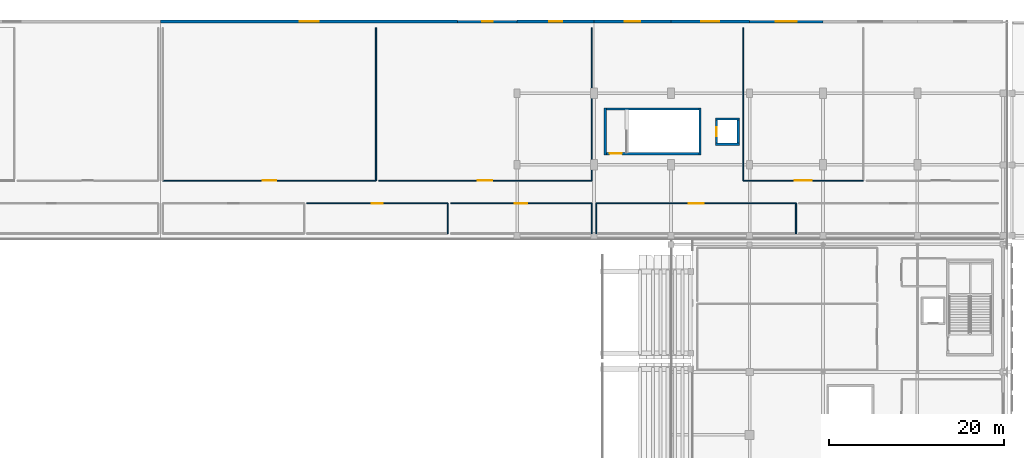
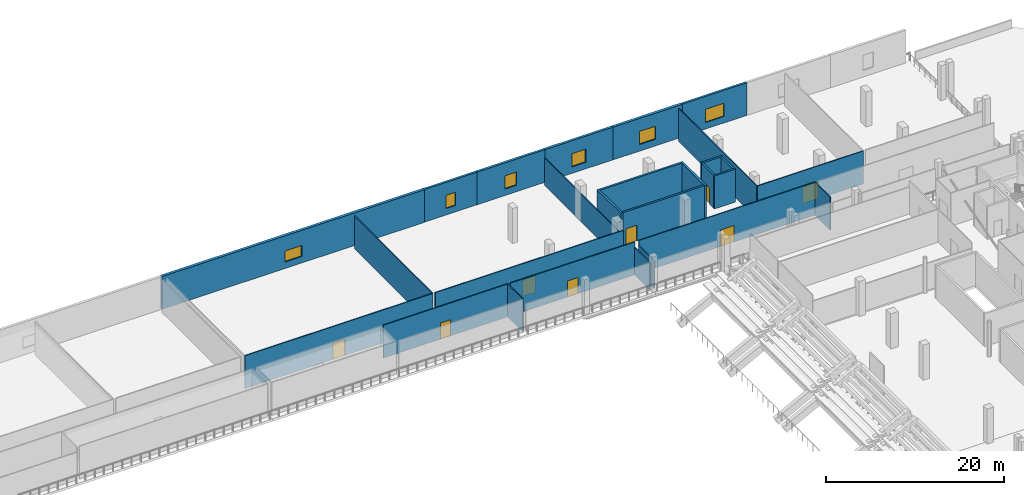
# One storey, part 43 of 74: 27 walls, 8 doors, 6 windows, 14 openings.
"""IFC4 building model written with IfcOpenShell, lengths in metres."""

from ifc_helpers import new_model, si_unit, direction, frame, frame_2d, origin, place, context, subcontext, project, spatial, rectangle, extrude, material, layer, layer_set, type_object, element, fill, save


model = new_model("IFC4")

# Units and contexts
model_context = context("Model", 3, precision=1e-05, world=origin(), true_north=direction((0.0, 1.0)))
body_context = subcontext(model_context, "Body", "Model", "MODEL_VIEW")
ifc_project = project(units=[si_unit("LENGTHUNIT", "METRE"), si_unit("AREAUNIT", "SQUARE_METRE"), si_unit("VOLUMEUNIT", "CUBIC_METRE"), si_unit("PLANEANGLEUNIT", "RADIAN"), si_unit("MASSUNIT", "GRAM", prefix="KILO")], contexts=[model_context])

# Site, building, storey
site_placement = place(None, origin())
site = spatial("IfcSite", under=ifc_project, at=site_placement, CompositionType="ELEMENT")
building_placement = place(site_placement, origin())
building = spatial("IfcBuilding", under=site, at=building_placement, Name="Koshinbarg Plaza Stadium", CompositionType="ELEMENT")
storey_placement = place(building_placement, frame((0.0, 0.0, 15.0)))
storey = spatial("IfcBuildingStorey", under=building, at=storey_placement, Name="L03", CompositionType="ELEMENT", Elevation=15.0)

# Walls
ifc_material_1 = material(Name="Concrete C40/50", Category="concrete")
ifc_layer_1 = layer(ifc_material_1, 0.25)
ifc_layer_set_1 = layer_set([ifc_layer_1], Name="Concrete C40/50")
wall_type_1 = type_object("IfcWallType", Name="WL-CORE-250", PredefinedType="SHEAR", material=ifc_layer_set_1)
for number, where, z_axis, x_axis, name in (
    (1, (172.875, 142.1201171875, 0.0), (0.0, 0.0, 1.0), (0.0, -1.0, 0.0), "L03 core stair shear wall C12-near IWL-L03-0286"),
    (2, (183.72509765625, 136.75, 0.0), (0.0, 0.0, 1.0), (0.0, 1.0, 0.0), "L03 core stair shear wall C12-far IWL-L03-0287"),
):
    element("IfcWall", number, at=place(storey_placement, frame(where, z_axis=z_axis, x_axis=x_axis)), inside=storey, type_object=wall_type_1, Name=name, PredefinedType="SHEAR", context=body_context, shape_type="SweptSolid", body=[
        extrude(rectangle(XDim=5.3701171875, YDim=0.25, at=frame_2d((2.68505859375, 0.0))), origin(), (0.0, 0.0, 1.0), 4.5),
    ])
wall_1_placement = place(storey_placement, frame((172.875, 141.9951171875, 0.0), z_axis=(0.0, 0.0, 1.0), x_axis=(1.0, 0.0, 0.0)))
element("IfcWall", 3, at=wall_1_placement, inside=storey, type_object=wall_type_1, Name="L03 core stair shear wall C12-left IWL-L03-0288", PredefinedType="SHEAR", context=body_context, shape_type="SweptSolid", body=[
    extrude(rectangle(XDim=10.85009765625, YDim=0.25, at=frame_2d((5.425048828125, 0.0))), origin(), (0.0, 0.0, 1.0), 4.5),
])

# Wall, opening, door
wall_2_placement = place(storey_placement, frame((172.875, 136.875, 0.0), z_axis=(0.0, 0.0, 1.0), x_axis=(1.0, 0.0, 0.0)))
wall_2 = element("IfcWall", 4, at=wall_2_placement, inside=storey, type_object=wall_type_1, Name="L03 core stair shear wall C12-right IWL-L03-0289", PredefinedType="SHEAR", context=body_context, shape_type="SweptSolid", body=[
    extrude(rectangle(XDim=10.85009765625, YDim=0.25, at=frame_2d((5.425048828125, 0.0))), origin(), (0.0, 0.0, 1.0), 4.5),
])
opening_1_placement = place(wall_2_placement, frame((0.52001953125, 0.0, 0.0)))
opening_1 = element("IfcOpeningElement", 5, at=opening_1_placement, cuts=wall_2, Name="Opening D-0134", PredefinedType="OPENING", context=body_context, shape_type="SweptSolid", body=[
    extrude(rectangle(XDim=1.39990234375, YDim=2.14990234375, at=frame_2d((0.699951171875, 1.074951171875))), frame((0.0, 0.135009765625, 0.0), z_axis=(0.0, -1.0, 0.0), x_axis=(1.0, 0.0, 0.0)), (0.0, 0.0, 1.0), 0.27001953125),
])
ifc_material_2 = material(Name="Painted galvanized steel fire door", Category="steel")
door_type_1 = type_object("IfcDoorType", Name="DR-STAIR-1400", OperationType="NOTDEFINED", PredefinedType="DOOR", material=ifc_material_2)
door_1_placement = place(opening_1_placement, origin())
door_1 = element("IfcDoor", 6, at=door_1_placement, inside=storey, type_object=door_type_1, Name="L03 exit stair door C12", OperationType="SINGLE_SWING_RIGHT", OverallHeight=2.14990234375, OverallWidth=1.39990234375, PredefinedType="DOOR", context=body_context, shape_type="SweptSolid", body=[
    extrude(rectangle(XDim=1.39990234375, YDim=2.14990234375, at=frame_2d((0.699951171875, 1.074951171875))), frame((0.0, 0.02490234375, 0.0), z_axis=(0.0, -1.0, 0.0), x_axis=(1.0, 0.0, 0.0)), (0.0, 0.0, 1.0), 0.050048828125),
])
fill(opening_1, door_1)

# Walls
for number, where, z_axis, x_axis, name in (
    (7, (185.47509765625, 137.949951171875, 0.0), (0.0, 0.0, 1.0), (1.0, 0.0, 0.0), "L03 lift shaft shear wall LP08-S IWL-L03-0986"),
    (8, (188.22509765625, 140.85009765625, 0.0), (0.0, 0.0, 1.0), (-1.0, 0.0, 0.0), "L03 lift shaft shear wall LP08-N IWL-L03-0987"),
):
    element("IfcWall", number, at=place(storey_placement, frame(where, z_axis=z_axis, x_axis=x_axis)), inside=storey, type_object=wall_type_1, Name=name, PredefinedType="SHEAR", context=body_context, shape_type="SweptSolid", body=[
        extrude(rectangle(XDim=2.75, YDim=0.25, at=frame_2d((1.375, 0.0))), origin(), (0.0, 0.0, 1.0), 4.5),
    ])

# Wall, opening, door
wall_3_placement = place(storey_placement, frame((185.60009765625, 140.85009765625, 0.0), z_axis=(0.0, 0.0, 1.0), x_axis=(0.0, -1.0, 0.0)))
wall_3 = element("IfcWall", 9, at=wall_3_placement, inside=storey, type_object=wall_type_1, Name="L03 lift shaft shear wall LP08-W IWL-L03-0988", PredefinedType="SHEAR", context=body_context, shape_type="SweptSolid", body=[
    extrude(rectangle(XDim=2.900146484375, YDim=0.25, at=frame_2d((1.4501953125, 0.0))), origin(), (0.0, 0.0, 1.0), 4.5),
])
opening_2_placement = place(wall_3_placement, frame((0.925048828125, 0.0, 0.0)))
opening_2 = element("IfcOpeningElement", 10, at=opening_2_placement, cuts=wall_3, Name="Opening D-0316", PredefinedType="OPENING", context=body_context, shape_type="SweptSolid", body=[
    extrude(rectangle(XDim=1.050048828125, YDim=2.14990234375, at=frame_2d((0.52490234375, 1.074951171875))), frame((0.0, 0.135009765625, 0.0), z_axis=(0.0, -1.0, 0.0), x_axis=(1.0, 0.0, 0.0)), (0.0, 0.0, 1.0), 0.27001953125),
])
ifc_material_3 = material(Name="Brushed stainless steel sliding lift landing door", Category="steel")
door_type_2 = type_object("IfcDoorType", Name="DR-LIFT-1050", OperationType="NOTDEFINED", PredefinedType="DOOR", material=ifc_material_3)
door_2_placement = place(opening_2_placement, origin())
door_2 = element("IfcDoor", 11, at=door_2_placement, inside=storey, type_object=door_type_2, Name="L03 lift landing door LP08", OperationType="SLIDING_TO_LEFT", OverallHeight=2.14990234375, OverallWidth=1.050048828125, PredefinedType="DOOR", context=body_context, shape_type="SweptSolid", body=[
    extrude(rectangle(XDim=1.050048828125, YDim=2.14990234375, at=frame_2d((0.52490234375, 1.074951171875))), frame((0.0, 0.02490234375, 0.0), z_axis=(0.0, -1.0, 0.0), x_axis=(1.0, 0.0, 0.0)), (0.0, 0.0, 1.0), 0.050048828125),
])
fill(opening_2, door_2)

# Wall
wall_4_placement = place(storey_placement, frame((188.10009765625, 137.949951171875, 0.0), z_axis=(0.0, 0.0, 1.0), x_axis=(0.0, 1.0, 0.0)))
element("IfcWall", 12, at=wall_4_placement, inside=storey, type_object=wall_type_1, Name="L03 lift shaft shear wall LP08-E IWL-L03-0989", PredefinedType="SHEAR", context=body_context, shape_type="SweptSolid", body=[
    extrude(rectangle(XDim=2.900146484375, YDim=0.25, at=frame_2d((1.4501953125, 0.0))), origin(), (0.0, 0.0, 1.0), 4.5),
])

# Wall, opening, window
ifc_material_4 = material(Name="Terracotta-ochre mineral plaster insulated wall", Category="masonry")
ifc_layer_2 = layer(ifc_material_4, 0.280029296875)
ifc_layer_set_2 = layer_set([ifc_layer_2], Name="Terracotta-ochre mineral plaster insulated wall")
wall_type_2 = type_object("IfcWallType", Name="WL-EXT-280", PredefinedType="SOLIDWALL", material=ifc_layer_set_2)
wall_5_placement = place(storey_placement, frame((156.0, 152.0, 0.0), z_axis=(0.0, 0.0, 1.0), x_axis=(1.0, 0.0, 0.0)))
wall_5 = element("IfcWall", 13, at=wall_5_placement, inside=storey, type_object=wall_type_2, Name="L03 exterior envelope wall EWL-L03-0168", PredefinedType="SOLIDWALL", context=body_context, shape_type="SweptSolid", body=[
    extrude(rectangle(XDim=6.800048828125, YDim=0.280029296875, at=frame_2d((3.39990234375, 0.0))), origin(), (0.0, 0.0, 1.0), 4.47998046875),
])
opening_3_placement = place(wall_5_placement, frame((2.800048828125, 0.0, 0.89990234375)))
opening_3 = element("IfcOpeningElement", 14, at=opening_3_placement, cuts=wall_5, Name="Opening WN07", PredefinedType="OPENING", context=body_context, shape_type="SweptSolid", body=[
    extrude(rectangle(XDim=1.199951171875, YDim=1.800048828125, at=frame_2d((0.60009765625, 0.89990234375))), frame((0.0, 0.14990234375, 0.0), z_axis=(0.0, -1.0, 0.0), x_axis=(1.0, 0.0, 0.0)), (0.0, 0.0, 1.0), 0.300048828125),
])
ifc_material_5 = material(Name="Solar-control double glazing in thermally broken aluminium frame", Category="aluminium")
window_type_1 = type_object("IfcWindowType", Name="WN-FAC-07", PartitioningType="DOUBLE_PANEL_VERTICAL", PredefinedType="WINDOW", material=ifc_material_5)
window_1_placement = place(opening_3_placement, origin())
window_1 = element("IfcWindow", 15, at=window_1_placement, inside=storey, type_object=window_type_1, Name="L03 facade window 0101", OverallHeight=1.800048828125, OverallWidth=1.199951171875, PartitioningType="SINGLE_PANEL", PredefinedType="WINDOW", context=body_context, shape_type="SweptSolid", body=[
    extrude(rectangle(XDim=1.199951171875, YDim=1.800048828125, at=frame_2d((0.60009765625, 0.89990234375))), frame((0.0, 0.030029296875, 0.0), z_axis=(0.0, -1.0, 0.0), x_axis=(1.0, 0.0, 0.0)), (0.0, 0.0, 1.0), 0.06005859375),
])
fill(opening_3, window_1)

wall_6_placement = place(storey_placement, frame((189.39990234375, 152.0, 0.0), z_axis=(0.0, 0.0, 1.0), x_axis=(1.0, 0.0, 0.0)))
wall_6 = element("IfcWall", 16, at=wall_6_placement, inside=storey, type_object=wall_type_2, Name="L03 exterior envelope wall EWL-L03-0172", PredefinedType="SOLIDWALL", context=body_context, shape_type="SweptSolid", body=[
    extrude(rectangle(XDim=8.400146484375, YDim=0.280029296875, at=frame_2d((4.2001953125, 0.0))), origin(), (0.0, 0.0, 1.0), 4.47998046875),
])
opening_4_placement = place(wall_6_placement, frame((3.0, 0.0, 0.89990234375)))
opening_4 = element("IfcOpeningElement", 17, at=opening_4_placement, cuts=wall_6, Name="Opening WN11", PredefinedType="OPENING", context=body_context, shape_type="SweptSolid", body=[
    extrude(rectangle(XDim=2.39990234375, YDim=1.800048828125, at=frame_2d((1.199951171875, 0.89990234375))), frame((0.0, 0.14990234375, 0.0), z_axis=(0.0, -1.0, 0.0), x_axis=(1.0, 0.0, 0.0)), (0.0, 0.0, 1.0), 0.300048828125),
])
window_type_2 = type_object("IfcWindowType", Name="WN-FAC-11", PartitioningType="DOUBLE_PANEL_VERTICAL", PredefinedType="WINDOW", material=ifc_material_5)
window_2_placement = place(opening_4_placement, origin())
window_2 = element("IfcWindow", 18, at=window_2_placement, inside=storey, type_object=window_type_2, Name="L03 facade window 0105", OverallHeight=1.800048828125, OverallWidth=2.39990234375, PartitioningType="SINGLE_PANEL", PredefinedType="WINDOW", context=body_context, shape_type="SweptSolid", body=[
    extrude(rectangle(XDim=2.39990234375, YDim=1.800048828125, at=frame_2d((1.199951171875, 0.89990234375))), frame((0.0, 0.030029296875, 0.0), z_axis=(0.0, -1.0, 0.0), x_axis=(1.0, 0.0, 0.0)), (0.0, 0.0, 1.0), 0.06005859375),
])
fill(opening_4, window_2)

ifc_material_6 = material(Name="Off-white mineral plaster insulated wall", Category="masonry")
ifc_layer_3 = layer(ifc_material_6, 0.300048828125)
ifc_layer_set_3 = layer_set([ifc_layer_3], Name="Off-white mineral plaster insulated wall")
wall_type_3 = type_object("IfcWallType", Name="WL-EXT-300", PredefinedType="SOLIDWALL", material=ifc_layer_set_3)
wall_7_placement = place(storey_placement, frame((162.800048828125, 152.0, 0.0), z_axis=(0.0, 0.0, 1.0), x_axis=(1.0, 0.0, 0.0)))
wall_7 = element("IfcWall", 19, at=wall_7_placement, inside=storey, type_object=wall_type_3, Name="L03 exterior envelope wall EWL-L03-0169", PredefinedType="SOLIDWALL", context=body_context, shape_type="SweptSolid", body=[
    extrude(rectangle(XDim=8.800048828125, YDim=0.300048828125, at=frame_2d((4.39990234375, 0.0))), origin(), (0.0, 0.0, 1.0), 4.47998046875),
])
opening_5_placement = place(wall_7_placement, frame((3.64990234375, 0.0, 0.89990234375)))
opening_5 = element("IfcOpeningElement", 20, at=opening_5_placement, cuts=wall_7, Name="Opening WN08", PredefinedType="OPENING", context=body_context, shape_type="SweptSolid", body=[
    extrude(rectangle(XDim=1.5, YDim=1.800048828125, at=frame_2d((0.75, 0.89990234375))), frame((0.0, 0.159912109375, 0.0), z_axis=(0.0, -1.0, 0.0), x_axis=(1.0, 0.0, 0.0)), (0.0, 0.0, 1.0), 0.320068359375),
])
window_type_3 = type_object("IfcWindowType", Name="WN-FAC-08", PartitioningType="DOUBLE_PANEL_VERTICAL", PredefinedType="WINDOW", material=ifc_material_5)
window_3_placement = place(opening_5_placement, origin())
window_3 = element("IfcWindow", 21, at=window_3_placement, inside=storey, type_object=window_type_3, Name="L03 facade window 0102", OverallHeight=1.800048828125, OverallWidth=1.5, PartitioningType="SINGLE_PANEL", PredefinedType="WINDOW", context=body_context, shape_type="SweptSolid", body=[
    extrude(rectangle(XDim=1.5, YDim=1.800048828125, at=frame_2d((0.75, 0.89990234375))), frame((0.0, 0.030029296875, 0.0), z_axis=(0.0, -1.0, 0.0), x_axis=(1.0, 0.0, 0.0)), (0.0, 0.0, 1.0), 0.06005859375),
])
fill(opening_5, window_3)

ifc_material_7 = material(Name="Ultramarine-blue pigmented mineral plaster facade wall", Category="masonry")
ifc_layer_4 = layer(ifc_material_7, 0.320068359375)
ifc_layer_set_4 = layer_set([ifc_layer_4], Name="Ultramarine-blue pigmented mineral plaster facade wall")
wall_type_4 = type_object("IfcWallType", Name="WL-EXT-320", PredefinedType="SOLIDWALL", material=ifc_layer_set_4)
wall_8_placement = place(storey_placement, frame((171.60009765625, 152.0, 0.0), z_axis=(0.0, 0.0, 1.0), x_axis=(1.0, 0.0, 0.0)))
wall_8 = element("IfcWall", 22, at=wall_8_placement, inside=storey, type_object=wall_type_4, Name="L03 exterior envelope wall EWL-L03-0170", PredefinedType="SOLIDWALL", context=body_context, shape_type="SweptSolid", body=[
    extrude(rectangle(XDim=8.7998046875, YDim=0.320068359375, at=frame_2d((4.39990234375, 0.0))), origin(), (0.0, 0.0, 1.0), 4.47998046875),
])
opening_6_placement = place(wall_8_placement, frame((3.5, 0.0, 0.89990234375)))
opening_6 = element("IfcOpeningElement", 23, at=opening_6_placement, cuts=wall_8, Name="Opening WN09", PredefinedType="OPENING", context=body_context, shape_type="SweptSolid", body=[
    extrude(rectangle(XDim=1.800048828125, YDim=1.800048828125, at=frame_2d((0.89990234375, 0.89990234375))), frame((0.0, 0.169921875, 0.0), z_axis=(0.0, -1.0, 0.0), x_axis=(1.0, 0.0, 0.0)), (0.0, 0.0, 1.0), 0.340087890625),
])
window_type_4 = type_object("IfcWindowType", Name="WN-FAC-09", PartitioningType="DOUBLE_PANEL_VERTICAL", PredefinedType="WINDOW", material=ifc_material_5)
window_4_placement = place(opening_6_placement, origin())
window_4 = element("IfcWindow", 24, at=window_4_placement, inside=storey, type_object=window_type_4, Name="L03 facade window 0103", OverallHeight=1.800048828125, OverallWidth=1.800048828125, PartitioningType="SINGLE_PANEL", PredefinedType="WINDOW", context=body_context, shape_type="SweptSolid", body=[
    extrude(rectangle(XDim=1.800048828125, YDim=1.800048828125, at=frame_2d((0.89990234375, 0.89990234375))), frame((0.0, 0.030029296875, 0.0), z_axis=(0.0, -1.0, 0.0), x_axis=(1.0, 0.0, 0.0)), (0.0, 0.0, 1.0), 0.06005859375),
])
fill(opening_6, window_4)

ifc_material_8 = material(Name="Acoustic insulated masonry stadium wall", Category="masonry")
ifc_layer_5 = layer(ifc_material_8, 0.35009765625)
ifc_layer_set_5 = layer_set([ifc_layer_5], Name="Acoustic insulated masonry stadium wall")
wall_type_5 = type_object("IfcWallType", Name="WL-EXT-350", PredefinedType="SOLIDWALL", material=ifc_layer_set_5)
wall_9_placement = place(storey_placement, frame((122.0, 152.0, 0.0), z_axis=(0.0, 0.0, 1.0), x_axis=(1.0, 0.0, 0.0)))
wall_9 = element("IfcWall", 25, at=wall_9_placement, inside=storey, type_object=wall_type_5, Name="L03 exterior envelope wall EWL-L03-0167", PredefinedType="SOLIDWALL", context=body_context, shape_type="SweptSolid", body=[
    extrude(rectangle(XDim=34.0, YDim=0.35009765625, at=frame_2d((17.0, 0.0))), origin(), (0.0, 0.0, 1.0), 4.47998046875),
])
opening_7_placement = place(wall_9_placement, frame((15.89990234375, 0.0, 0.89990234375)))
opening_7 = element("IfcOpeningElement", 26, at=opening_7_placement, cuts=wall_9, Name="Opening WN06", PredefinedType="OPENING", context=body_context, shape_type="SweptSolid", body=[
    extrude(rectangle(XDim=2.199951171875, YDim=1.5, at=frame_2d((1.10009765625, 0.75))), frame((0.0, 0.18505859375, 0.0), z_axis=(0.0, -1.0, 0.0), x_axis=(1.0, 0.0, 0.0)), (0.0, 0.0, 1.0), 0.3701171875),
])
window_type_5 = type_object("IfcWindowType", Name="WN-FAC-06", PartitioningType="DOUBLE_PANEL_VERTICAL", PredefinedType="WINDOW", material=ifc_material_5)
window_5_placement = place(opening_7_placement, origin())
window_5 = element("IfcWindow", 27, at=window_5_placement, inside=storey, type_object=window_type_5, Name="L03 facade window 0100", OverallHeight=1.5, OverallWidth=2.199951171875, PartitioningType="SINGLE_PANEL", PredefinedType="WINDOW", context=body_context, shape_type="SweptSolid", body=[
    extrude(rectangle(XDim=2.199951171875, YDim=1.5, at=frame_2d((1.10009765625, 0.75))), frame((0.0, 0.030029296875, 0.0), z_axis=(0.0, -1.0, 0.0), x_axis=(1.0, 0.0, 0.0)), (0.0, 0.0, 1.0), 0.06005859375),
])
fill(opening_7, window_5)

wall_10_placement = place(storey_placement, frame((180.39990234375, 152.0, 0.0), z_axis=(0.0, 0.0, 1.0), x_axis=(1.0, 0.0, 0.0)))
wall_10 = element("IfcWall", 28, at=wall_10_placement, inside=storey, type_object=wall_type_5, Name="L03 exterior envelope wall EWL-L03-0171", PredefinedType="SOLIDWALL", context=body_context, shape_type="SweptSolid", body=[
    extrude(rectangle(XDim=9.0, YDim=0.35009765625, at=frame_2d((4.5, 0.0))), origin(), (0.0, 0.0, 1.0), 4.47998046875),
])
opening_8_placement = place(wall_10_placement, frame((3.449951171875, 0.0, 0.89990234375)))
opening_8 = element("IfcOpeningElement", 29, at=opening_8_placement, cuts=wall_10, Name="Opening WN10", PredefinedType="OPENING", context=body_context, shape_type="SweptSolid", body=[
    extrude(rectangle(XDim=2.10009765625, YDim=1.800048828125, at=frame_2d((1.050048828125, 0.89990234375))), frame((0.0, 0.18505859375, 0.0), z_axis=(0.0, -1.0, 0.0), x_axis=(1.0, 0.0, 0.0)), (0.0, 0.0, 1.0), 0.3701171875),
])
window_type_6 = type_object("IfcWindowType", Name="WN-FAC-10", PartitioningType="DOUBLE_PANEL_VERTICAL", PredefinedType="WINDOW", material=ifc_material_5)
window_6_placement = place(opening_8_placement, origin())
window_6 = element("IfcWindow", 30, at=window_6_placement, inside=storey, type_object=window_type_6, Name="L03 facade window 0104", OverallHeight=1.800048828125, OverallWidth=2.10009765625, PartitioningType="SINGLE_PANEL", PredefinedType="WINDOW", context=body_context, shape_type="SweptSolid", body=[
    extrude(rectangle(XDim=2.10009765625, YDim=1.800048828125, at=frame_2d((1.050048828125, 0.89990234375))), frame((0.0, 0.030029296875, 0.0), z_axis=(0.0, -1.0, 0.0), x_axis=(1.0, 0.0, 0.0)), (0.0, 0.0, 1.0), 0.06005859375),
])
fill(opening_8, window_6)

# Wall
ifc_material_9 = material(Name="Gypsum board metal-stud acoustic partition")
ifc_layer_6 = layer(ifc_material_9, 0.1201171875)
ifc_layer_set_6 = layer_set([ifc_layer_6], Name="Gypsum board metal-stud acoustic partition")
wall_type_6 = type_object("IfcWallType", Name="WL-PART-120", PredefinedType="PARTITIONING", material=ifc_layer_set_6)
wall_11_placement = place(storey_placement, frame((154.876708984375, 127.7451171875, 0.0), z_axis=(0.0, 0.0, 1.0), x_axis=(0.0, 1.0, 0.0)))
element("IfcWall", 31, at=wall_11_placement, inside=storey, type_object=wall_type_6, Name="L03 interior partition L03-107-east IWL-L03-2032", PredefinedType="PARTITIONING", context=body_context, shape_type="SweptSolid", body=[
    extrude(rectangle(XDim=3.454833984375, YDim=0.1201171875, at=frame_2d((1.7275390625, 0.0))), origin(), (0.0, 0.0, 1.0), 4.5),
])

# Wall, opening, door
wall_12_placement = place(storey_placement, frame((154.876708984375, 131.199951171875, 0.0), z_axis=(0.0, 0.0, 1.0), x_axis=(-1.0, 0.0, 0.0)))
wall_12 = element("IfcWall", 32, at=wall_12_placement, inside=storey, type_object=wall_type_6, Name="L03 interior partition L03-107-north IWL-L03-2033", PredefinedType="PARTITIONING", context=body_context, shape_type="SweptSolid", body=[
    extrude(rectangle(XDim=16.1533203125, YDim=0.1201171875, at=frame_2d((8.07666015625, 0.0))), origin(), (0.0, 0.0, 1.0), 4.5),
])
opening_9_placement = place(wall_12_placement, frame((7.4267578125, 0.0, 0.0)))
opening_9 = element("IfcOpeningElement", 33, at=opening_9_placement, cuts=wall_12, Name="Opening D-0697", PredefinedType="OPENING", context=body_context, shape_type="SweptSolid", body=[
    extrude(rectangle(XDim=1.300048828125, YDim=2.199951171875, at=frame_2d((0.64990234375, 1.10009765625))), frame((0.0, 0.070068359375, 0.0), z_axis=(0.0, -1.0, 0.0), x_axis=(1.0, 0.0, 0.0)), (0.0, 0.0, 1.0), 0.14013671875),
])
ifc_material_10 = material(Name="Thermally broken anodised aluminium glazed door", Category="aluminium")
door_type_3 = type_object("IfcDoorType", Name="DR-INT-1300x2200", OperationType="NOTDEFINED", PredefinedType="DOOR", material=ifc_material_10)
door_3_placement = place(opening_9_placement, origin())
door_3 = element("IfcDoor", 34, at=door_3_placement, inside=storey, type_object=door_type_3, Name="L03 Olympic Archive Exhibition Room door D-0697", OperationType="SINGLE_SWING_LEFT", OverallHeight=2.199951171875, OverallWidth=1.300048828125, PredefinedType="DOOR", context=body_context, shape_type="SweptSolid", body=[
    extrude(rectangle(XDim=1.300048828125, YDim=2.199951171875, at=frame_2d((0.64990234375, 1.10009765625))), frame((0.0, 0.02490234375, 0.0), z_axis=(0.0, -1.0, 0.0), x_axis=(1.0, 0.0, 0.0)), (0.0, 0.0, 1.0), 0.050048828125),
])
fill(opening_9, door_3)

# Wall
wall_13_placement = place(storey_placement, frame((171.330078125, 127.7451171875, 0.0), z_axis=(0.0, 0.0, 1.0), x_axis=(0.0, 1.0, 0.0)))
element("IfcWall", 35, at=wall_13_placement, inside=storey, type_object=wall_type_6, Name="L03 interior partition L03-108-east IWL-L03-2035", PredefinedType="PARTITIONING", context=body_context, shape_type="SweptSolid", body=[
    extrude(rectangle(XDim=3.454833984375, YDim=0.1201171875, at=frame_2d((1.7275390625, 0.0))), origin(), (0.0, 0.0, 1.0), 3.780029296875),
])

# Wall, opening, door
wall_14_placement = place(storey_placement, frame((171.330078125, 131.199951171875, 0.0), z_axis=(0.0, 0.0, 1.0), x_axis=(-1.0, 0.0, 0.0)))
wall_14 = element("IfcWall", 36, at=wall_14_placement, inside=storey, type_object=wall_type_6, Name="L03 interior partition L03-108-north IWL-L03-2036", PredefinedType="PARTITIONING", context=body_context, shape_type="SweptSolid", body=[
    extrude(rectangle(XDim=16.1533203125, YDim=0.1201171875, at=frame_2d((8.07666015625, 0.0))), origin(), (0.0, 0.0, 1.0), 4.5),
])
opening_10_placement = place(wall_14_placement, frame((7.376708984375, 0.0, 0.0)))
opening_10 = element("IfcOpeningElement", 37, at=opening_10_placement, cuts=wall_14, Name="Opening D-0698", PredefinedType="OPENING", context=body_context, shape_type="SweptSolid", body=[
    extrude(rectangle(XDim=1.39990234375, YDim=2.199951171875, at=frame_2d((0.699951171875, 1.10009765625))), frame((0.0, 0.070068359375, 0.0), z_axis=(0.0, -1.0, 0.0), x_axis=(1.0, 0.0, 0.0)), (0.0, 0.0, 1.0), 0.14013671875),
])
ifc_material_11 = material(Name="Stainless-clad solid-core timber double fire door", Category="wood")
door_type_4 = type_object("IfcDoorType", Name="DR-INT-1400x2200", OperationType="NOTDEFINED", PredefinedType="DOOR", material=ifc_material_11)
door_4_placement = place(opening_10_placement, origin())
door_4 = element("IfcDoor", 38, at=door_4_placement, inside=storey, type_object=door_type_4, Name="L03 North Garden Pavilion Salon door D-0698", OperationType="DOUBLE_DOOR_SINGLE_SWING", OverallHeight=2.199951171875, OverallWidth=1.39990234375, PredefinedType="DOOR", context=body_context, shape_type="SweptSolid", body=[
    extrude(rectangle(XDim=1.39990234375, YDim=2.199951171875, at=frame_2d((0.699951171875, 1.10009765625))), frame((0.0, 0.02490234375, 0.0), z_axis=(0.0, -1.0, 0.0), x_axis=(1.0, 0.0, 0.0)), (0.0, 0.0, 1.0), 0.050048828125),
])
fill(opening_10, door_4)

wall_15_placement = place(storey_placement, frame((122.27001953125, 133.800048828125, 0.0), z_axis=(0.0, 0.0, 1.0), x_axis=(1.0, 0.0, 0.0)))
wall_15 = element("IfcWall", 39, at=wall_15_placement, inside=storey, type_object=wall_type_6, Name="L03 interior partition L03-109-south IWL-L03-2037", PredefinedType="PARTITIONING", context=body_context, shape_type="SweptSolid", body=[
    extrude(rectangle(XDim=24.3798828125, YDim=0.1201171875, at=frame_2d((12.18994140625, 0.0))), origin(), (0.0, 0.0, 1.0), 4.5),
])
opening_11_placement = place(wall_15_placement, frame((11.4150390625, 0.0, 0.0)))
opening_11 = element("IfcOpeningElement", 40, at=opening_11_placement, cuts=wall_15, Name="Opening D-0699", PredefinedType="OPENING", context=body_context, shape_type="SweptSolid", body=[
    extrude(rectangle(XDim=1.550048828125, YDim=2.199951171875, at=frame_2d((0.77490234375, 1.10009765625))), frame((0.0, 0.070068359375, 0.0), z_axis=(0.0, -1.0, 0.0), x_axis=(1.0, 0.0, 0.0)), (0.0, 0.0, 1.0), 0.14013671875),
])
ifc_material_12 = material(Name="Toughened laminated glass in aluminium frame", Category="aluminium")
door_type_5 = type_object("IfcDoorType", Name="DR-INT-1550x2200", OperationType="NOTDEFINED", PredefinedType="DOOR", material=ifc_material_12)
door_5_placement = place(opening_11_placement, origin())
door_5 = element("IfcDoor", 41, at=door_5_placement, inside=storey, type_object=door_type_5, Name="L03 Olympic Archive Exhibition Room door D-0699", OperationType="DOUBLE_DOOR_SINGLE_SWING", OverallHeight=2.199951171875, OverallWidth=1.550048828125, PredefinedType="DOOR", context=body_context, shape_type="SweptSolid", body=[
    extrude(rectangle(XDim=1.550048828125, YDim=2.199951171875, at=frame_2d((0.77490234375, 1.10009765625))), frame((0.0, 0.02490234375, 0.0), z_axis=(0.0, -1.0, 0.0), x_axis=(1.0, 0.0, 0.0)), (0.0, 0.0, 1.0), 0.050048828125),
])
fill(opening_11, door_5)

# Wall
wall_16_placement = place(storey_placement, frame((146.64990234375, 133.800048828125, 0.0), z_axis=(0.0, 0.0, 1.0), x_axis=(0.0, 1.0, 0.0)))
element("IfcWall", 42, at=wall_16_placement, inside=storey, type_object=wall_type_6, Name="L03 interior partition L03-109-east IWL-L03-2038", PredefinedType="PARTITIONING", context=body_context, shape_type="SweptSolid", body=[
    extrude(rectangle(XDim=17.5, YDim=0.1201171875, at=frame_2d((8.75, 0.0))), origin(), (0.0, 0.0, 1.0), 4.5),
])

# Wall, opening, door
wall_17_placement = place(storey_placement, frame((146.949951171875, 133.800048828125, 0.0), z_axis=(0.0, 0.0, 1.0), x_axis=(1.0, 0.0, 0.0)))
wall_17 = element("IfcWall", 43, at=wall_17_placement, inside=storey, type_object=wall_type_6, Name="L03 interior partition L03-110-south IWL-L03-2040", PredefinedType="PARTITIONING", context=body_context, shape_type="SweptSolid", body=[
    extrude(rectangle(XDim=24.380126953125, YDim=0.1201171875, at=frame_2d((12.18994140625, 0.0))), origin(), (0.0, 0.0, 1.0), 4.5),
])
opening_12_placement = place(wall_17_placement, frame((11.35009765625, 0.0, 0.0)))
opening_12 = element("IfcOpeningElement", 44, at=opening_12_placement, cuts=wall_17, Name="Opening D-0700", PredefinedType="OPENING", context=body_context, shape_type="SweptSolid", body=[
    extrude(rectangle(XDim=1.679931640625, YDim=2.25, at=frame_2d((0.83984375, 1.125))), frame((0.0, 0.070068359375, 0.0), z_axis=(0.0, -1.0, 0.0), x_axis=(1.0, 0.0, 0.0)), (0.0, 0.0, 1.0), 0.14013671875),
])
ifc_material_13 = material(Name="Powder-coated aluminium double glazed door", Category="aluminium")
door_type_6 = type_object("IfcDoorType", Name="DR-INT-1680x2250", OperationType="NOTDEFINED", PredefinedType="DOOR", material=ifc_material_13)
door_6_placement = place(opening_12_placement, origin())
door_6 = element("IfcDoor", 45, at=door_6_placement, inside=storey, type_object=door_type_6, Name="L03 North Garden Pavilion Salon door D-0700", OperationType="DOUBLE_DOOR_SINGLE_SWING", OverallHeight=2.25, OverallWidth=1.679931640625, PredefinedType="DOOR", context=body_context, shape_type="SweptSolid", body=[
    extrude(rectangle(XDim=1.679931640625, YDim=2.25, at=frame_2d((0.83984375, 1.125))), frame((0.0, 0.02490234375, 0.0), z_axis=(0.0, -1.0, 0.0), x_axis=(1.0, 0.0, 0.0)), (0.0, 0.0, 1.0), 0.050048828125),
])
fill(opening_12, door_6)

# Walls
wall_18_placement = place(storey_placement, frame((171.330078125, 133.800048828125, 0.0), z_axis=(0.0, 0.0, 1.0), x_axis=(0.0, 1.0, 0.0)))
element("IfcWall", 46, at=wall_18_placement, inside=storey, type_object=wall_type_6, Name="L03 interior partition L03-110-east IWL-L03-2041", PredefinedType="PARTITIONING", context=body_context, shape_type="SweptSolid", body=[
    extrude(rectangle(XDim=17.5, YDim=0.1201171875, at=frame_2d((8.75, 0.0))), origin(), (0.0, 0.0, 1.0), 3.780029296875),
])
wall_19_placement = place(storey_placement, frame((194.7099609375, 127.7451171875, 0.0), z_axis=(0.0, 0.0, 1.0), x_axis=(0.0, 1.0, 0.0)))
element("IfcWall", 47, at=wall_19_placement, inside=storey, type_object=wall_type_6, Name="L03 interior partition L03-111-east IWL-L03-2043", PredefinedType="PARTITIONING", context=body_context, shape_type="SweptSolid", body=[
    extrude(rectangle(XDim=3.454833984375, YDim=0.1201171875, at=frame_2d((1.7275390625, 0.0))), origin(), (0.0, 0.0, 1.0), 4.5),
])

# Wall, opening, door
wall_20_placement = place(storey_placement, frame((194.7099609375, 131.199951171875, 0.0), z_axis=(0.0, 0.0, 1.0), x_axis=(-1.0, 0.0, 0.0)))
wall_20 = element("IfcWall", 48, at=wall_20_placement, inside=storey, type_object=wall_type_6, Name="L03 interior partition L03-111-north IWL-L03-2044", PredefinedType="PARTITIONING", context=body_context, shape_type="SweptSolid", body=[
    extrude(rectangle(XDim=22.83984375, YDim=0.1201171875, at=frame_2d((11.419921875, 0.0))), origin(), (0.0, 0.0, 1.0), 4.5),
])
opening_13_placement = place(wall_20_placement, frame((10.5400390625, 0.0, 0.0)))
opening_13 = element("IfcOpeningElement", 49, at=opening_13_placement, cuts=wall_20, Name="Opening D-0701", PredefinedType="OPENING", context=body_context, shape_type="SweptSolid", body=[
    extrude(rectangle(XDim=1.760009765625, YDim=2.25, at=frame_2d((0.8798828125, 1.125))), frame((0.0, 0.070068359375, 0.0), z_axis=(0.0, -1.0, 0.0), x_axis=(1.0, 0.0, 0.0)), (0.0, 0.0, 1.0), 0.14013671875),
])
ifc_material_14 = material(Name="Solid-core oak veneer double swing door")
door_type_7 = type_object("IfcDoorType", Name="DR-INT-1760x2250", OperationType="NOTDEFINED", PredefinedType="DOOR", material=ifc_material_14)
door_7_placement = place(opening_13_placement, origin())
door_7 = element("IfcDoor", 50, at=door_7_placement, inside=storey, type_object=door_type_7, Name="L03 Olympic Archive Exhibition Room door D-0701", OperationType="DOUBLE_DOOR_SINGLE_SWING", OverallHeight=2.25, OverallWidth=1.760009765625, PredefinedType="DOOR", context=body_context, shape_type="SweptSolid", body=[
    extrude(rectangle(XDim=1.760009765625, YDim=2.25, at=frame_2d((0.8798828125, 1.125))), frame((0.0, 0.02490234375, 0.0), z_axis=(0.0, -1.0, 0.0), x_axis=(1.0, 0.0, 0.0)), (0.0, 0.0, 1.0), 0.050048828125),
])
fill(opening_13, door_7)

# Wall
wall_21_placement = place(storey_placement, frame((171.8701171875, 131.199951171875, 0.0), z_axis=(0.0, 0.0, 1.0), x_axis=(0.0, -1.0, 0.0)))
element("IfcWall", 51, at=wall_21_placement, inside=storey, type_object=wall_type_6, Name="L03 interior partition L03-111-west IWL-L03-2045", PredefinedType="PARTITIONING", context=body_context, shape_type="SweptSolid", body=[
    extrude(rectangle(XDim=3.454833984375, YDim=0.1201171875, at=frame_2d((1.7275390625, 0.0))), origin(), (0.0, 0.0, 1.0), 3.780029296875),
])

# Wall, opening, door
wall_22_placement = place(storey_placement, frame((188.679931640625, 133.800048828125, 0.0), z_axis=(0.0, 0.0, 1.0), x_axis=(1.0, 0.0, 0.0)))
wall_22 = element("IfcWall", 52, at=wall_22_placement, inside=storey, type_object=wall_type_6, Name="L03 interior partition L03-113-south IWL-L03-2048", PredefinedType="PARTITIONING", context=body_context, shape_type="SweptSolid", body=[
    extrude(rectangle(XDim=13.743408203125, YDim=0.1201171875, at=frame_2d((6.87158203125, 0.0))), origin(), (0.0, 0.0, 1.0), 4.5),
])
opening_14_placement = place(wall_22_placement, frame((5.8916015625, 0.0, 0.0)))
opening_14 = element("IfcOpeningElement", 53, at=opening_14_placement, cuts=wall_22, Name="Opening D-0703", PredefinedType="OPENING", context=body_context, shape_type="SweptSolid", body=[
    extrude(rectangle(XDim=1.9599609375, YDim=2.300048828125, at=frame_2d((0.97998046875, 1.14990234375))), frame((0.0, 0.070068359375, 0.0), z_axis=(0.0, -1.0, 0.0), x_axis=(1.0, 0.0, 0.0)), (0.0, 0.0, 1.0), 0.14013671875),
])
ifc_material_15 = material(Name="Bronze-anodised aluminium glazed double door", Category="aluminium")
door_type_8 = type_object("IfcDoorType", Name="DR-INT-1960x2300", OperationType="NOTDEFINED", PredefinedType="DOOR", material=ifc_material_15)
door_8_placement = place(opening_14_placement, origin())
door_8 = element("IfcDoor", 54, at=door_8_placement, inside=storey, type_object=door_type_8, Name="L03 North Upper Concourse door D-0703", OperationType="DOUBLE_DOOR_SINGLE_SWING", OverallHeight=2.300048828125, OverallWidth=1.9599609375, PredefinedType="DOOR", context=body_context, shape_type="SweptSolid", body=[
    extrude(rectangle(XDim=1.9599609375, YDim=2.300048828125, at=frame_2d((0.97998046875, 1.14990234375))), frame((0.0, 0.02490234375, 0.0), z_axis=(0.0, -1.0, 0.0), x_axis=(1.0, 0.0, 0.0)), (0.0, 0.0, 1.0), 0.050048828125),
])
fill(opening_14, door_8)

# Wall
wall_23_placement = place(storey_placement, frame((188.679931640625, 151.300048828125, 0.0), z_axis=(0.0, 0.0, 1.0), x_axis=(0.0, -1.0, 0.0)))
element("IfcWall", 55, at=wall_23_placement, inside=storey, type_object=wall_type_6, Name="L03 interior partition L03-113-west IWL-L03-2050", PredefinedType="PARTITIONING", context=body_context, shape_type="SweptSolid", body=[
    extrude(rectangle(XDim=17.5, YDim=0.1201171875, at=frame_2d((8.75, 0.0))), origin(), (0.0, 0.0, 1.0), 4.5),
])

save(model, "model.ifc")
